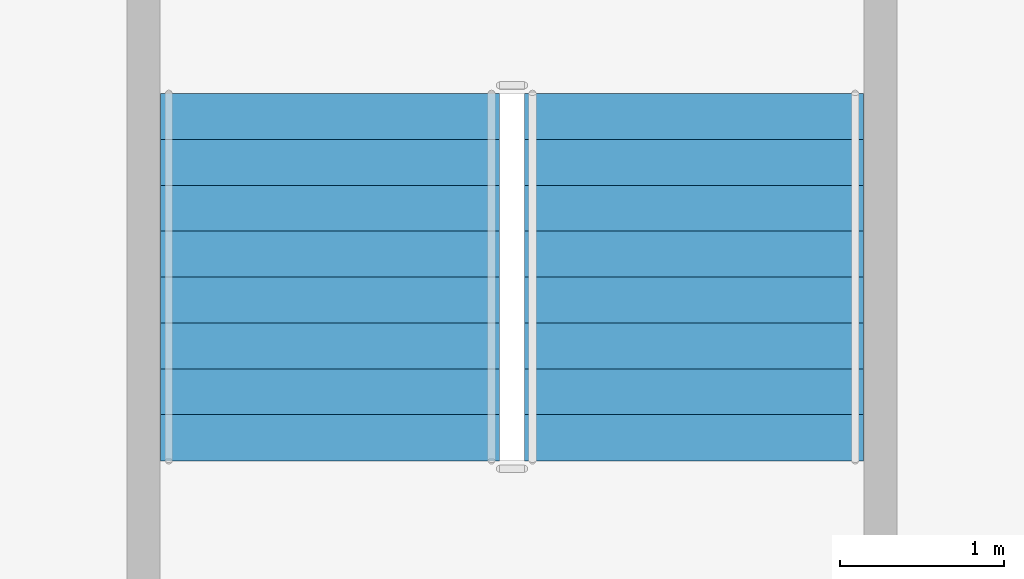
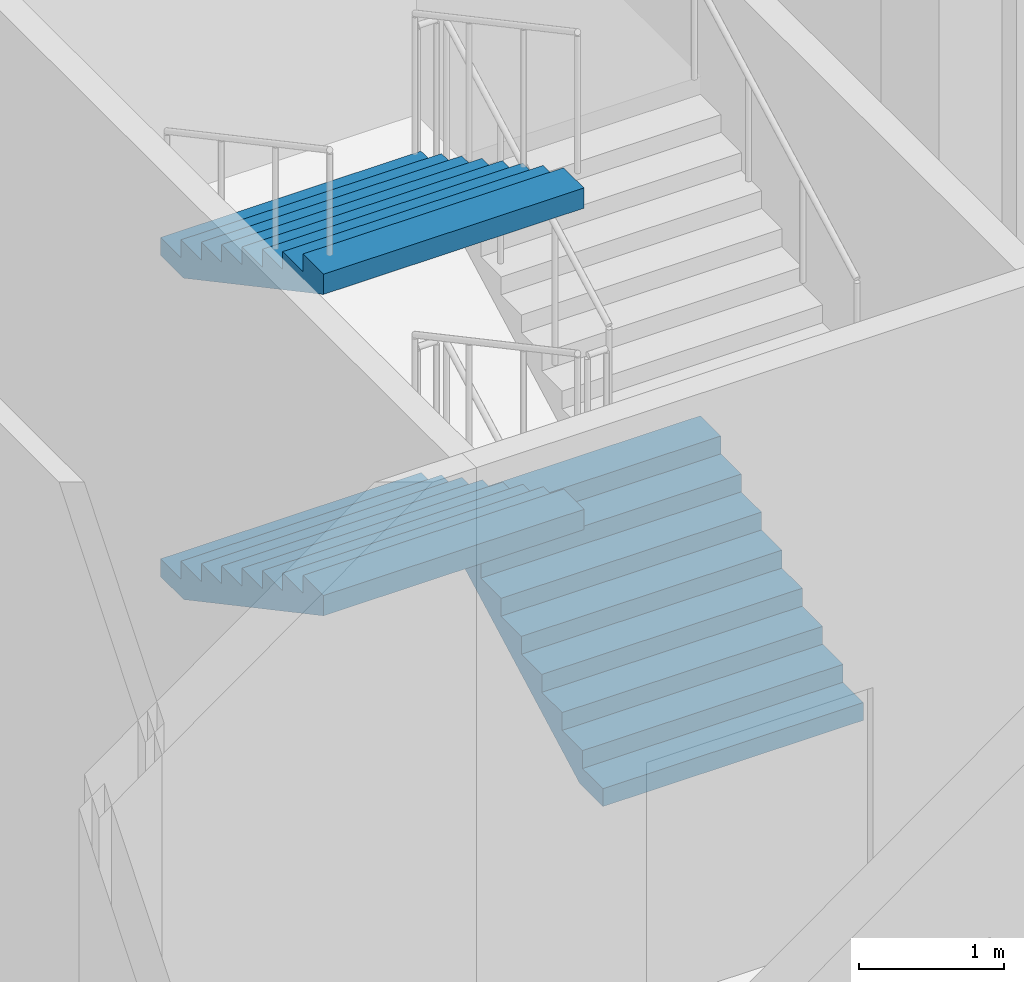
# One storey, part 21 of 27: 3 stair flights, 1 element without a shape of its own.
"""IFC4 building model written with IfcOpenShell, lengths in metres."""

from ifc_helpers import new_model, si_unit, direction, frame, origin, place, context, subcontext, project, spatial, polygons, material, type_object, element, aggregate, save


model = new_model("IFC4")

# Units and contexts
model_context = context("Model", 3, precision=1e-05, world=origin(), true_north=direction((0.0, 1.0)))
body_context = subcontext(model_context, "Body", "Model", "MODEL_VIEW")
ifc_project = project(units=[si_unit("LENGTHUNIT", "METRE"), si_unit("AREAUNIT", "SQUARE_METRE"), si_unit("VOLUMEUNIT", "CUBIC_METRE"), si_unit("PLANEANGLEUNIT", "RADIAN"), si_unit("MASSUNIT", "GRAM", prefix="KILO")], contexts=[model_context])

# Site, building, storey
site_placement = place(None, origin())
site = spatial("IfcSite", under=ifc_project, at=site_placement, CompositionType="ELEMENT")
building_placement = place(site_placement, origin())
building = spatial("IfcBuilding", under=site, at=building_placement, Name="Caravel Reach Hotel and Residences", CompositionType="ELEMENT")
storey_placement = place(building_placement, frame((0.0, 0.0, 6.60009765625)))
storey = spatial("IfcBuildingStorey", under=building, at=storey_placement, Name="L01", CompositionType="ELEMENT", Elevation=6.60009765625)

# Stair, stair flights
ifc_material_1 = material(Name="Concrete C40", Category="concrete")
stair_type = type_object("IfcStairType", Name="Core stair", PredefinedType="HALF_TURN_STAIR", material=ifc_material_1)
stair_placement = place(storey_placement, origin())
stair = element("IfcStair", 1, at=stair_placement, inside=storey, type_object=stair_type, Name="L01 Exit stair P6", PredefinedType="HALF_TURN_STAIR")
ifc_material_2 = material(Name="Concrete C40", Category="concrete")
stair_flight_type = type_object("IfcStairFlightType", Name="Core stair flight", PredefinedType="STRAIGHT", material=ifc_material_2)
stair_flight_1_placement = place(storey_placement, frame((64.360107421875, 42.68994140625, 0.0), z_axis=(0.0, 0.0, 1.0), x_axis=(0.0, 1.0, 0.0)))
stair_flight_1 = element("IfcStairFlight", 2, at=stair_flight_1_placement, type_object=stair_flight_type, Name="ST-P6 flight 1", NumberOfRisers=9, NumberOfTreads=8, PredefinedType="STRAIGHT", RiserHeight=0.15, TreadLength=0.28, context=body_context, shape_type="Tessellation", body=[
    polygons([(0.3174408016601864, 1.0350341796875, 0.0), (0.3174408016601864, 0.6900227864583333, 0.0), (0.3174408016601864, 0.34501139322916663, 0.0), (0.3174408016601864, 0.0, 0.0), (0.3174408016601864, -0.34501139322916674, 0.0), (0.3174408016601864, -0.6900227864583333, 0.0), (0.3174408016601864, -1.0350341796875, 0.0), (2.241, 1.0350341796875, 1.029942427682043), (2.241, 0.6900227864583333, 1.029942427682043), (2.241, 0.34501139322916663, 1.029942427682043), (2.241, 0.0, 1.029942427682043), (2.241, -0.34501139322916674, 1.029942427682043), (2.241, -0.6900227864583333, 1.029942427682043), (2.241, -1.0350341796875, 1.029942427682043), (2.241, 1.0350341796875, 1.2), (2.241, 0.6900227864583333, 1.2), (2.241, 0.34501139322916663, 1.2), (2.241, 0.0, 1.2), (2.241, -0.34501139322916674, 1.2), (2.241, -0.6900227864583333, 1.2), (2.241, -1.0350341796875, 1.2), (1.9600000000000002, 1.0350341796875, 1.2), (1.9600000000000002, 0.6900227864583333, 1.2), (1.9600000000000002, 0.34501139322916663, 1.2), (1.9600000000000002, 0.0, 1.2), (1.9600000000000002, -0.34501139322916674, 1.2), (1.9600000000000002, -0.6900227864583333, 1.2), (1.9600000000000002, -1.0350341796875, 1.2), (1.9600000000000002, 1.0350341796875, 1.05), (1.9600000000000002, 0.6900227864583333, 1.05), (1.9600000000000002, 0.34501139322916663, 1.05), (1.9600000000000002, 0.0, 1.05), (1.9600000000000002, -0.34501139322916674, 1.05), (1.9600000000000002, -0.6900227864583333, 1.05), (1.9600000000000002, -1.0350341796875, 1.05), (1.6800000000000002, 1.0350341796875, 1.05), (1.6800000000000002, 0.6900227864583333, 1.05), (1.6800000000000002, 0.34501139322916663, 1.05), (1.6800000000000002, 0.0, 1.05), (1.6800000000000002, -0.34501139322916674, 1.05), (1.6800000000000002, -0.6900227864583333, 1.05), (1.6800000000000002, -1.0350341796875, 1.05), (1.6800000000000002, 1.0350341796875, 0.8999999999999999), (1.6800000000000002, 0.6900227864583333, 0.8999999999999999), (1.6800000000000002, 0.34501139322916663, 0.8999999999999999), (1.6800000000000002, 0.0, 0.8999999999999999), (1.6800000000000002, -0.34501139322916674, 0.8999999999999999), (1.6800000000000002, -0.6900227864583333, 0.8999999999999999), (1.6800000000000002, -1.0350341796875, 0.8999999999999999), (1.4000000000000001, 1.0350341796875, 0.8999999999999999), (1.4000000000000001, 0.6900227864583333, 0.8999999999999999), (1.4000000000000001, 0.34501139322916663, 0.8999999999999999), (1.4000000000000001, 0.0, 0.8999999999999999), (1.4000000000000001, -0.34501139322916674, 0.8999999999999999), (1.4000000000000001, -0.6900227864583333, 0.8999999999999999), (1.4000000000000001, -1.0350341796875, 0.8999999999999999), (1.4000000000000001, 1.0350341796875, 0.75), (1.4000000000000001, 0.6900227864583333, 0.75), (1.4000000000000001, 0.34501139322916663, 0.75), (1.4000000000000001, 0.0, 0.75), (1.4000000000000001, -0.34501139322916674, 0.75), (1.4000000000000001, -0.6900227864583333, 0.75), (1.4000000000000001, -1.0350341796875, 0.75), (1.12, 1.0350341796875, 0.75), (1.12, 0.6900227864583333, 0.75), (1.12, 0.34501139322916663, 0.75), (1.12, 0.0, 0.75), (1.12, -0.34501139322916674, 0.75), (1.12, -0.6900227864583333, 0.75), (1.12, -1.0350341796875, 0.75), (1.12, 1.0350341796875, 0.6), (1.12, 0.6900227864583333, 0.6), (1.12, 0.34501139322916663, 0.6), (1.12, 0.0, 0.6), (1.12, -0.34501139322916674, 0.6), (1.12, -0.6900227864583333, 0.6), (1.12, -1.0350341796875, 0.6), (0.8400000000000001, 1.0350341796875, 0.6), (0.8400000000000001, 0.6900227864583333, 0.6), (0.8400000000000001, 0.34501139322916663, 0.6), (0.8400000000000001, 0.0, 0.6), (0.8400000000000001, -0.34501139322916674, 0.6), (0.8400000000000001, -0.6900227864583333, 0.6), (0.8400000000000001, -1.0350341796875, 0.6), (0.8400000000000001, 1.0350341796875, 0.44999999999999996), (0.8400000000000001, 0.6900227864583333, 0.44999999999999996), (0.8400000000000001, 0.34501139322916663, 0.44999999999999996), (0.8400000000000001, 0.0, 0.44999999999999996), (0.8400000000000001, -0.34501139322916674, 0.44999999999999996), (0.8400000000000001, -0.6900227864583333, 0.44999999999999996), (0.8400000000000001, -1.0350341796875, 0.44999999999999996), (0.56, 1.0350341796875, 0.44999999999999996), (0.56, 0.6900227864583333, 0.44999999999999996), (0.56, 0.34501139322916663, 0.44999999999999996), (0.56, 0.0, 0.44999999999999996), (0.56, -0.34501139322916674, 0.44999999999999996), (0.56, -0.6900227864583333, 0.44999999999999996), (0.56, -1.0350341796875, 0.44999999999999996), (0.56, 1.0350341796875, 0.3), (0.56, 0.6900227864583333, 0.3), (0.56, 0.34501139322916663, 0.3), (0.56, 0.0, 0.3), (0.56, -0.34501139322916674, 0.3), (0.56, -0.6900227864583333, 0.3), (0.56, -1.0350341796875, 0.3), (0.28, 1.0350341796875, 0.3), (0.28, 0.6900227864583333, 0.3), (0.28, 0.34501139322916663, 0.3), (0.28, 0.0, 0.3), (0.28, -0.34501139322916674, 0.3), (0.28, -0.6900227864583333, 0.3), (0.28, -1.0350341796875, 0.3), (0.28, 1.0350341796875, 0.15), (0.28, 0.6900227864583333, 0.15), (0.28, 0.34501139322916663, 0.15), (0.28, 0.0, 0.15), (0.28, -0.34501139322916674, 0.15), (0.28, -0.6900227864583333, 0.15), (0.28, -1.0350341796875, 0.15), (-0.001, 1.0350341796875, 0.15), (-0.001, 0.6900227864583333, 0.15), (-0.001, 0.34501139322916663, 0.15), (-0.001, 0.0, 0.15), (-0.001, -0.34501139322916674, 0.15), (-0.001, -0.6900227864583333, 0.15), (-0.001, -1.0350341796875, 0.15), (-0.001, 1.0350341796875, 0.0), (-0.001, 0.6900227864583333, 0.0), (-0.001, 0.34501139322916663, 0.0), (-0.001, 0.0, 0.0), (-0.001, -0.34501139322916674, 0.0), (-0.001, -0.6900227864583333, 0.0), (-0.001, -1.0350341796875, 0.0)], [[[127, 120, 113, 106, 99, 92, 85, 78, 71, 64, 57, 50, 43, 36, 29, 22, 15, 8, 1]], [[7, 14, 21, 28, 35, 42, 49, 56, 63, 70, 77, 84, 91, 98, 105, 112, 119, 126, 133]], [[1, 8, 9, 2]], [[2, 9, 10, 3]], [[3, 10, 11, 4]], [[4, 11, 12, 5]], [[5, 12, 13, 6]], [[6, 13, 14, 7]], [[8, 15, 16, 9]], [[9, 16, 17, 10]], [[10, 17, 18, 11]], [[11, 18, 19, 12]], [[12, 19, 20, 13]], [[13, 20, 21, 14]], [[15, 22, 23, 16]], [[16, 23, 24, 17]], [[17, 24, 25, 18]], [[18, 25, 26, 19]], [[19, 26, 27, 20]], [[20, 27, 28, 21]], [[22, 29, 30, 23]], [[23, 30, 31, 24]], [[24, 31, 32, 25]], [[25, 32, 33, 26]], [[26, 33, 34, 27]], [[27, 34, 35, 28]], [[29, 36, 37, 30]], [[30, 37, 38, 31]], [[31, 38, 39, 32]], [[32, 39, 40, 33]], [[33, 40, 41, 34]], [[34, 41, 42, 35]], [[36, 43, 44, 37]], [[37, 44, 45, 38]], [[38, 45, 46, 39]], [[39, 46, 47, 40]], [[40, 47, 48, 41]], [[41, 48, 49, 42]], [[43, 50, 51, 44]], [[44, 51, 52, 45]], [[45, 52, 53, 46]], [[46, 53, 54, 47]], [[47, 54, 55, 48]], [[48, 55, 56, 49]], [[50, 57, 58, 51]], [[51, 58, 59, 52]], [[52, 59, 60, 53]], [[53, 60, 61, 54]], [[54, 61, 62, 55]], [[55, 62, 63, 56]], [[57, 64, 65, 58]], [[58, 65, 66, 59]], [[59, 66, 67, 60]], [[60, 67, 68, 61]], [[61, 68, 69, 62]], [[62, 69, 70, 63]], [[64, 71, 72, 65]], [[65, 72, 73, 66]], [[66, 73, 74, 67]], [[67, 74, 75, 68]], [[68, 75, 76, 69]], [[69, 76, 77, 70]], [[71, 78, 79, 72]], [[72, 79, 80, 73]], [[73, 80, 81, 74]], [[74, 81, 82, 75]], [[75, 82, 83, 76]], [[76, 83, 84, 77]], [[78, 85, 86, 79]], [[79, 86, 87, 80]], [[80, 87, 88, 81]], [[81, 88, 89, 82]], [[82, 89, 90, 83]], [[83, 90, 91, 84]], [[85, 92, 93, 86]], [[86, 93, 94, 87]], [[87, 94, 95, 88]], [[88, 95, 96, 89]], [[89, 96, 97, 90]], [[90, 97, 98, 91]], [[92, 99, 100, 93]], [[93, 100, 101, 94]], [[94, 101, 102, 95]], [[95, 102, 103, 96]], [[96, 103, 104, 97]], [[97, 104, 105, 98]], [[99, 106, 107, 100]], [[100, 107, 108, 101]], [[101, 108, 109, 102]], [[102, 109, 110, 103]], [[103, 110, 111, 104]], [[104, 111, 112, 105]], [[106, 113, 114, 107]], [[107, 114, 115, 108]], [[108, 115, 116, 109]], [[109, 116, 117, 110]], [[110, 117, 118, 111]], [[111, 118, 119, 112]], [[113, 120, 121, 114]], [[114, 121, 122, 115]], [[115, 122, 123, 116]], [[116, 123, 124, 117]], [[117, 124, 125, 118]], [[118, 125, 126, 119]], [[120, 127, 128, 121]], [[121, 128, 129, 122]], [[122, 129, 130, 123]], [[123, 130, 131, 124]], [[124, 131, 132, 125]], [[125, 132, 133, 126]], [[127, 1, 2, 128]], [[128, 2, 3, 129]], [[129, 3, 4, 130]], [[130, 4, 5, 131]], [[131, 5, 6, 132]], [[132, 6, 7, 133]]], closed=True),
])
stair_flight_2_placement = place(storey_placement, frame((62.139892578125, 44.929931640625, 1.349853515625), z_axis=(0.0, 0.0, 1.0), x_axis=(0.0, -1.0, 0.0)))
stair_flight_2 = element("IfcStairFlight", 3, at=stair_flight_2_placement, type_object=stair_flight_type, Name="ST-P6 flight 2", NumberOfRisers=9, NumberOfTreads=8, PredefinedType="STRAIGHT", RiserHeight=0.15, TreadLength=0.28, context=body_context, shape_type="Tessellation", body=[
    polygons([(0.3174408016601864, 1.0350341796875, 0.0), (0.3174408016601864, 0.6900227864583333, 0.0), (0.3174408016601864, 0.34501139322916663, 0.0), (0.3174408016601864, 0.0, 0.0), (0.3174408016601864, -0.34501139322916674, 0.0), (0.3174408016601864, -0.6900227864583333, 0.0), (0.3174408016601864, -1.0350341796875, 0.0), (2.241, 1.0350341796875, 1.029942427682043), (2.241, 0.6900227864583333, 1.029942427682043), (2.241, 0.34501139322916663, 1.029942427682043), (2.241, 0.0, 1.029942427682043), (2.241, -0.34501139322916674, 1.029942427682043), (2.241, -0.6900227864583333, 1.029942427682043), (2.241, -1.0350341796875, 1.029942427682043), (2.241, 1.0350341796875, 1.2), (2.241, 0.6900227864583333, 1.2), (2.241, 0.34501139322916663, 1.2), (2.241, 0.0, 1.2), (2.241, -0.34501139322916674, 1.2), (2.241, -0.6900227864583333, 1.2), (2.241, -1.0350341796875, 1.2), (1.9600000000000002, 1.0350341796875, 1.2), (1.9600000000000002, 0.6900227864583333, 1.2), (1.9600000000000002, 0.34501139322916663, 1.2), (1.9600000000000002, 0.0, 1.2), (1.9600000000000002, -0.34501139322916674, 1.2), (1.9600000000000002, -0.6900227864583333, 1.2), (1.9600000000000002, -1.0350341796875, 1.2), (1.9600000000000002, 1.0350341796875, 1.05), (1.9600000000000002, 0.6900227864583333, 1.05), (1.9600000000000002, 0.34501139322916663, 1.05), (1.9600000000000002, 0.0, 1.05), (1.9600000000000002, -0.34501139322916674, 1.05), (1.9600000000000002, -0.6900227864583333, 1.05), (1.9600000000000002, -1.0350341796875, 1.05), (1.6800000000000002, 1.0350341796875, 1.05), (1.6800000000000002, 0.6900227864583333, 1.05), (1.6800000000000002, 0.34501139322916663, 1.05), (1.6800000000000002, 0.0, 1.05), (1.6800000000000002, -0.34501139322916674, 1.05), (1.6800000000000002, -0.6900227864583333, 1.05), (1.6800000000000002, -1.0350341796875, 1.05), (1.6800000000000002, 1.0350341796875, 0.8999999999999999), (1.6800000000000002, 0.6900227864583333, 0.8999999999999999), (1.6800000000000002, 0.34501139322916663, 0.8999999999999999), (1.6800000000000002, 0.0, 0.8999999999999999), (1.6800000000000002, -0.34501139322916674, 0.8999999999999999), (1.6800000000000002, -0.6900227864583333, 0.8999999999999999), (1.6800000000000002, -1.0350341796875, 0.8999999999999999), (1.4000000000000001, 1.0350341796875, 0.8999999999999999), (1.4000000000000001, 0.6900227864583333, 0.8999999999999999), (1.4000000000000001, 0.34501139322916663, 0.8999999999999999), (1.4000000000000001, 0.0, 0.8999999999999999), (1.4000000000000001, -0.34501139322916674, 0.8999999999999999), (1.4000000000000001, -0.6900227864583333, 0.8999999999999999), (1.4000000000000001, -1.0350341796875, 0.8999999999999999), (1.4000000000000001, 1.0350341796875, 0.75), (1.4000000000000001, 0.6900227864583333, 0.75), (1.4000000000000001, 0.34501139322916663, 0.75), (1.4000000000000001, 0.0, 0.75), (1.4000000000000001, -0.34501139322916674, 0.75), (1.4000000000000001, -0.6900227864583333, 0.75), (1.4000000000000001, -1.0350341796875, 0.75), (1.12, 1.0350341796875, 0.75), (1.12, 0.6900227864583333, 0.75), (1.12, 0.34501139322916663, 0.75), (1.12, 0.0, 0.75), (1.12, -0.34501139322916674, 0.75), (1.12, -0.6900227864583333, 0.75), (1.12, -1.0350341796875, 0.75), (1.12, 1.0350341796875, 0.6), (1.12, 0.6900227864583333, 0.6), (1.12, 0.34501139322916663, 0.6), (1.12, 0.0, 0.6), (1.12, -0.34501139322916674, 0.6), (1.12, -0.6900227864583333, 0.6), (1.12, -1.0350341796875, 0.6), (0.8400000000000001, 1.0350341796875, 0.6), (0.8400000000000001, 0.6900227864583333, 0.6), (0.8400000000000001, 0.34501139322916663, 0.6), (0.8400000000000001, 0.0, 0.6), (0.8400000000000001, -0.34501139322916674, 0.6), (0.8400000000000001, -0.6900227864583333, 0.6), (0.8400000000000001, -1.0350341796875, 0.6), (0.8400000000000001, 1.0350341796875, 0.44999999999999996), (0.8400000000000001, 0.6900227864583333, 0.44999999999999996), (0.8400000000000001, 0.34501139322916663, 0.44999999999999996), (0.8400000000000001, 0.0, 0.44999999999999996), (0.8400000000000001, -0.34501139322916674, 0.44999999999999996), (0.8400000000000001, -0.6900227864583333, 0.44999999999999996), (0.8400000000000001, -1.0350341796875, 0.44999999999999996), (0.56, 1.0350341796875, 0.44999999999999996), (0.56, 0.6900227864583333, 0.44999999999999996), (0.56, 0.34501139322916663, 0.44999999999999996), (0.56, 0.0, 0.44999999999999996), (0.56, -0.34501139322916674, 0.44999999999999996), (0.56, -0.6900227864583333, 0.44999999999999996), (0.56, -1.0350341796875, 0.44999999999999996), (0.56, 1.0350341796875, 0.3), (0.56, 0.6900227864583333, 0.3), (0.56, 0.34501139322916663, 0.3), (0.56, 0.0, 0.3), (0.56, -0.34501139322916674, 0.3), (0.56, -0.6900227864583333, 0.3), (0.56, -1.0350341796875, 0.3), (0.28, 1.0350341796875, 0.3), (0.28, 0.6900227864583333, 0.3), (0.28, 0.34501139322916663, 0.3), (0.28, 0.0, 0.3), (0.28, -0.34501139322916674, 0.3), (0.28, -0.6900227864583333, 0.3), (0.28, -1.0350341796875, 0.3), (0.28, 1.0350341796875, 0.15), (0.28, 0.6900227864583333, 0.15), (0.28, 0.34501139322916663, 0.15), (0.28, 0.0, 0.15), (0.28, -0.34501139322916674, 0.15), (0.28, -0.6900227864583333, 0.15), (0.28, -1.0350341796875, 0.15), (-0.001, 1.0350341796875, 0.15), (-0.001, 0.6900227864583333, 0.15), (-0.001, 0.34501139322916663, 0.15), (-0.001, 0.0, 0.15), (-0.001, -0.34501139322916674, 0.15), (-0.001, -0.6900227864583333, 0.15), (-0.001, -1.0350341796875, 0.15), (-0.001, 1.0350341796875, 0.0), (-0.001, 0.6900227864583333, 0.0), (-0.001, 0.34501139322916663, 0.0), (-0.001, 0.0, 0.0), (-0.001, -0.34501139322916674, 0.0), (-0.001, -0.6900227864583333, 0.0), (-0.001, -1.0350341796875, 0.0)], [[[127, 120, 113, 106, 99, 92, 85, 78, 71, 64, 57, 50, 43, 36, 29, 22, 15, 8, 1]], [[7, 14, 21, 28, 35, 42, 49, 56, 63, 70, 77, 84, 91, 98, 105, 112, 119, 126, 133]], [[1, 8, 9, 2]], [[2, 9, 10, 3]], [[3, 10, 11, 4]], [[4, 11, 12, 5]], [[5, 12, 13, 6]], [[6, 13, 14, 7]], [[8, 15, 16, 9]], [[9, 16, 17, 10]], [[10, 17, 18, 11]], [[11, 18, 19, 12]], [[12, 19, 20, 13]], [[13, 20, 21, 14]], [[15, 22, 23, 16]], [[16, 23, 24, 17]], [[17, 24, 25, 18]], [[18, 25, 26, 19]], [[19, 26, 27, 20]], [[20, 27, 28, 21]], [[22, 29, 30, 23]], [[23, 30, 31, 24]], [[24, 31, 32, 25]], [[25, 32, 33, 26]], [[26, 33, 34, 27]], [[27, 34, 35, 28]], [[29, 36, 37, 30]], [[30, 37, 38, 31]], [[31, 38, 39, 32]], [[32, 39, 40, 33]], [[33, 40, 41, 34]], [[34, 41, 42, 35]], [[36, 43, 44, 37]], [[37, 44, 45, 38]], [[38, 45, 46, 39]], [[39, 46, 47, 40]], [[40, 47, 48, 41]], [[41, 48, 49, 42]], [[43, 50, 51, 44]], [[44, 51, 52, 45]], [[45, 52, 53, 46]], [[46, 53, 54, 47]], [[47, 54, 55, 48]], [[48, 55, 56, 49]], [[50, 57, 58, 51]], [[51, 58, 59, 52]], [[52, 59, 60, 53]], [[53, 60, 61, 54]], [[54, 61, 62, 55]], [[55, 62, 63, 56]], [[57, 64, 65, 58]], [[58, 65, 66, 59]], [[59, 66, 67, 60]], [[60, 67, 68, 61]], [[61, 68, 69, 62]], [[62, 69, 70, 63]], [[64, 71, 72, 65]], [[65, 72, 73, 66]], [[66, 73, 74, 67]], [[67, 74, 75, 68]], [[68, 75, 76, 69]], [[69, 76, 77, 70]], [[71, 78, 79, 72]], [[72, 79, 80, 73]], [[73, 80, 81, 74]], [[74, 81, 82, 75]], [[75, 82, 83, 76]], [[76, 83, 84, 77]], [[78, 85, 86, 79]], [[79, 86, 87, 80]], [[80, 87, 88, 81]], [[81, 88, 89, 82]], [[82, 89, 90, 83]], [[83, 90, 91, 84]], [[85, 92, 93, 86]], [[86, 93, 94, 87]], [[87, 94, 95, 88]], [[88, 95, 96, 89]], [[89, 96, 97, 90]], [[90, 97, 98, 91]], [[92, 99, 100, 93]], [[93, 100, 101, 94]], [[94, 101, 102, 95]], [[95, 102, 103, 96]], [[96, 103, 104, 97]], [[97, 104, 105, 98]], [[99, 106, 107, 100]], [[100, 107, 108, 101]], [[101, 108, 109, 102]], [[102, 109, 110, 103]], [[103, 110, 111, 104]], [[104, 111, 112, 105]], [[106, 113, 114, 107]], [[107, 114, 115, 108]], [[108, 115, 116, 109]], [[109, 116, 117, 110]], [[110, 117, 118, 111]], [[111, 118, 119, 112]], [[113, 120, 121, 114]], [[114, 121, 122, 115]], [[115, 122, 123, 116]], [[116, 123, 124, 117]], [[117, 124, 125, 118]], [[118, 125, 126, 119]], [[120, 127, 128, 121]], [[121, 128, 129, 122]], [[122, 129, 130, 123]], [[123, 130, 131, 124]], [[124, 131, 132, 125]], [[125, 132, 133, 126]], [[127, 1, 2, 128]], [[128, 2, 3, 129]], [[129, 3, 4, 130]], [[130, 4, 5, 131]], [[131, 5, 6, 132]], [[132, 6, 7, 133]]], closed=True),
])
stair_flight_3_placement = place(storey_placement, frame((62.139892578125, 44.929931640625, 4.0498046875), z_axis=(0.0, 0.0, 1.0), x_axis=(0.0, -1.0, 0.0)))
stair_flight_3 = element("IfcStairFlight", 4, at=stair_flight_3_placement, type_object=stair_flight_type, Name="ST-P6 flight 4", NumberOfRisers=9, NumberOfTreads=8, PredefinedType="STRAIGHT", RiserHeight=0.15, TreadLength=0.28, context=body_context, shape_type="Tessellation", body=[
    polygons([(0.3174408016601864, 1.0350341796875, 0.0), (0.3174408016601864, 0.6900227864583333, 0.0), (0.3174408016601864, 0.34501139322916663, 0.0), (0.3174408016601864, 0.0, 0.0), (0.3174408016601864, -0.34501139322916674, 0.0), (0.3174408016601864, -0.6900227864583333, 0.0), (0.3174408016601864, -1.0350341796875, 0.0), (2.241, 1.0350341796875, 1.029942427682043), (2.241, 0.6900227864583333, 1.029942427682043), (2.241, 0.34501139322916663, 1.029942427682043), (2.241, 0.0, 1.029942427682043), (2.241, -0.34501139322916674, 1.029942427682043), (2.241, -0.6900227864583333, 1.029942427682043), (2.241, -1.0350341796875, 1.029942427682043), (2.241, 1.0350341796875, 1.2), (2.241, 0.6900227864583333, 1.2), (2.241, 0.34501139322916663, 1.2), (2.241, 0.0, 1.2), (2.241, -0.34501139322916674, 1.2), (2.241, -0.6900227864583333, 1.2), (2.241, -1.0350341796875, 1.2), (1.9600000000000002, 1.0350341796875, 1.2), (1.9600000000000002, 0.6900227864583333, 1.2), (1.9600000000000002, 0.34501139322916663, 1.2), (1.9600000000000002, 0.0, 1.2), (1.9600000000000002, -0.34501139322916674, 1.2), (1.9600000000000002, -0.6900227864583333, 1.2), (1.9600000000000002, -1.0350341796875, 1.2), (1.9600000000000002, 1.0350341796875, 1.05), (1.9600000000000002, 0.6900227864583333, 1.05), (1.9600000000000002, 0.34501139322916663, 1.05), (1.9600000000000002, 0.0, 1.05), (1.9600000000000002, -0.34501139322916674, 1.05), (1.9600000000000002, -0.6900227864583333, 1.05), (1.9600000000000002, -1.0350341796875, 1.05), (1.6800000000000002, 1.0350341796875, 1.05), (1.6800000000000002, 0.6900227864583333, 1.05), (1.6800000000000002, 0.34501139322916663, 1.05), (1.6800000000000002, 0.0, 1.05), (1.6800000000000002, -0.34501139322916674, 1.05), (1.6800000000000002, -0.6900227864583333, 1.05), (1.6800000000000002, -1.0350341796875, 1.05), (1.6800000000000002, 1.0350341796875, 0.8999999999999999), (1.6800000000000002, 0.6900227864583333, 0.8999999999999999), (1.6800000000000002, 0.34501139322916663, 0.8999999999999999), (1.6800000000000002, 0.0, 0.8999999999999999), (1.6800000000000002, -0.34501139322916674, 0.8999999999999999), (1.6800000000000002, -0.6900227864583333, 0.8999999999999999), (1.6800000000000002, -1.0350341796875, 0.8999999999999999), (1.4000000000000001, 1.0350341796875, 0.8999999999999999), (1.4000000000000001, 0.6900227864583333, 0.8999999999999999), (1.4000000000000001, 0.34501139322916663, 0.8999999999999999), (1.4000000000000001, 0.0, 0.8999999999999999), (1.4000000000000001, -0.34501139322916674, 0.8999999999999999), (1.4000000000000001, -0.6900227864583333, 0.8999999999999999), (1.4000000000000001, -1.0350341796875, 0.8999999999999999), (1.4000000000000001, 1.0350341796875, 0.75), (1.4000000000000001, 0.6900227864583333, 0.75), (1.4000000000000001, 0.34501139322916663, 0.75), (1.4000000000000001, 0.0, 0.75), (1.4000000000000001, -0.34501139322916674, 0.75), (1.4000000000000001, -0.6900227864583333, 0.75), (1.4000000000000001, -1.0350341796875, 0.75), (1.12, 1.0350341796875, 0.75), (1.12, 0.6900227864583333, 0.75), (1.12, 0.34501139322916663, 0.75), (1.12, 0.0, 0.75), (1.12, -0.34501139322916674, 0.75), (1.12, -0.6900227864583333, 0.75), (1.12, -1.0350341796875, 0.75), (1.12, 1.0350341796875, 0.6), (1.12, 0.6900227864583333, 0.6), (1.12, 0.34501139322916663, 0.6), (1.12, 0.0, 0.6), (1.12, -0.34501139322916674, 0.6), (1.12, -0.6900227864583333, 0.6), (1.12, -1.0350341796875, 0.6), (0.8400000000000001, 1.0350341796875, 0.6), (0.8400000000000001, 0.6900227864583333, 0.6), (0.8400000000000001, 0.34501139322916663, 0.6), (0.8400000000000001, 0.0, 0.6), (0.8400000000000001, -0.34501139322916674, 0.6), (0.8400000000000001, -0.6900227864583333, 0.6), (0.8400000000000001, -1.0350341796875, 0.6), (0.8400000000000001, 1.0350341796875, 0.44999999999999996), (0.8400000000000001, 0.6900227864583333, 0.44999999999999996), (0.8400000000000001, 0.34501139322916663, 0.44999999999999996), (0.8400000000000001, 0.0, 0.44999999999999996), (0.8400000000000001, -0.34501139322916674, 0.44999999999999996), (0.8400000000000001, -0.6900227864583333, 0.44999999999999996), (0.8400000000000001, -1.0350341796875, 0.44999999999999996), (0.56, 1.0350341796875, 0.44999999999999996), (0.56, 0.6900227864583333, 0.44999999999999996), (0.56, 0.34501139322916663, 0.44999999999999996), (0.56, 0.0, 0.44999999999999996), (0.56, -0.34501139322916674, 0.44999999999999996), (0.56, -0.6900227864583333, 0.44999999999999996), (0.56, -1.0350341796875, 0.44999999999999996), (0.56, 1.0350341796875, 0.3), (0.56, 0.6900227864583333, 0.3), (0.56, 0.34501139322916663, 0.3), (0.56, 0.0, 0.3), (0.56, -0.34501139322916674, 0.3), (0.56, -0.6900227864583333, 0.3), (0.56, -1.0350341796875, 0.3), (0.28, 1.0350341796875, 0.3), (0.28, 0.6900227864583333, 0.3), (0.28, 0.34501139322916663, 0.3), (0.28, 0.0, 0.3), (0.28, -0.34501139322916674, 0.3), (0.28, -0.6900227864583333, 0.3), (0.28, -1.0350341796875, 0.3), (0.28, 1.0350341796875, 0.15), (0.28, 0.6900227864583333, 0.15), (0.28, 0.34501139322916663, 0.15), (0.28, 0.0, 0.15), (0.28, -0.34501139322916674, 0.15), (0.28, -0.6900227864583333, 0.15), (0.28, -1.0350341796875, 0.15), (-0.001, 1.0350341796875, 0.15), (-0.001, 0.6900227864583333, 0.15), (-0.001, 0.34501139322916663, 0.15), (-0.001, 0.0, 0.15), (-0.001, -0.34501139322916674, 0.15), (-0.001, -0.6900227864583333, 0.15), (-0.001, -1.0350341796875, 0.15), (-0.001, 1.0350341796875, 0.0), (-0.001, 0.6900227864583333, 0.0), (-0.001, 0.34501139322916663, 0.0), (-0.001, 0.0, 0.0), (-0.001, -0.34501139322916674, 0.0), (-0.001, -0.6900227864583333, 0.0), (-0.001, -1.0350341796875, 0.0)], [[[127, 120, 113, 106, 99, 92, 85, 78, 71, 64, 57, 50, 43, 36, 29, 22, 15, 8, 1]], [[7, 14, 21, 28, 35, 42, 49, 56, 63, 70, 77, 84, 91, 98, 105, 112, 119, 126, 133]], [[1, 8, 9, 2]], [[2, 9, 10, 3]], [[3, 10, 11, 4]], [[4, 11, 12, 5]], [[5, 12, 13, 6]], [[6, 13, 14, 7]], [[8, 15, 16, 9]], [[9, 16, 17, 10]], [[10, 17, 18, 11]], [[11, 18, 19, 12]], [[12, 19, 20, 13]], [[13, 20, 21, 14]], [[15, 22, 23, 16]], [[16, 23, 24, 17]], [[17, 24, 25, 18]], [[18, 25, 26, 19]], [[19, 26, 27, 20]], [[20, 27, 28, 21]], [[22, 29, 30, 23]], [[23, 30, 31, 24]], [[24, 31, 32, 25]], [[25, 32, 33, 26]], [[26, 33, 34, 27]], [[27, 34, 35, 28]], [[29, 36, 37, 30]], [[30, 37, 38, 31]], [[31, 38, 39, 32]], [[32, 39, 40, 33]], [[33, 40, 41, 34]], [[34, 41, 42, 35]], [[36, 43, 44, 37]], [[37, 44, 45, 38]], [[38, 45, 46, 39]], [[39, 46, 47, 40]], [[40, 47, 48, 41]], [[41, 48, 49, 42]], [[43, 50, 51, 44]], [[44, 51, 52, 45]], [[45, 52, 53, 46]], [[46, 53, 54, 47]], [[47, 54, 55, 48]], [[48, 55, 56, 49]], [[50, 57, 58, 51]], [[51, 58, 59, 52]], [[52, 59, 60, 53]], [[53, 60, 61, 54]], [[54, 61, 62, 55]], [[55, 62, 63, 56]], [[57, 64, 65, 58]], [[58, 65, 66, 59]], [[59, 66, 67, 60]], [[60, 67, 68, 61]], [[61, 68, 69, 62]], [[62, 69, 70, 63]], [[64, 71, 72, 65]], [[65, 72, 73, 66]], [[66, 73, 74, 67]], [[67, 74, 75, 68]], [[68, 75, 76, 69]], [[69, 76, 77, 70]], [[71, 78, 79, 72]], [[72, 79, 80, 73]], [[73, 80, 81, 74]], [[74, 81, 82, 75]], [[75, 82, 83, 76]], [[76, 83, 84, 77]], [[78, 85, 86, 79]], [[79, 86, 87, 80]], [[80, 87, 88, 81]], [[81, 88, 89, 82]], [[82, 89, 90, 83]], [[83, 90, 91, 84]], [[85, 92, 93, 86]], [[86, 93, 94, 87]], [[87, 94, 95, 88]], [[88, 95, 96, 89]], [[89, 96, 97, 90]], [[90, 97, 98, 91]], [[92, 99, 100, 93]], [[93, 100, 101, 94]], [[94, 101, 102, 95]], [[95, 102, 103, 96]], [[96, 103, 104, 97]], [[97, 104, 105, 98]], [[99, 106, 107, 100]], [[100, 107, 108, 101]], [[101, 108, 109, 102]], [[102, 109, 110, 103]], [[103, 110, 111, 104]], [[104, 111, 112, 105]], [[106, 113, 114, 107]], [[107, 114, 115, 108]], [[108, 115, 116, 109]], [[109, 116, 117, 110]], [[110, 117, 118, 111]], [[111, 118, 119, 112]], [[113, 120, 121, 114]], [[114, 121, 122, 115]], [[115, 122, 123, 116]], [[116, 123, 124, 117]], [[117, 124, 125, 118]], [[118, 125, 126, 119]], [[120, 127, 128, 121]], [[121, 128, 129, 122]], [[122, 129, 130, 123]], [[123, 130, 131, 124]], [[124, 131, 132, 125]], [[125, 132, 133, 126]], [[127, 1, 2, 128]], [[128, 2, 3, 129]], [[129, 3, 4, 130]], [[130, 4, 5, 131]], [[131, 5, 6, 132]], [[132, 6, 7, 133]]], closed=True),
])
aggregate(stair, [stair_flight_1, stair_flight_2, stair_flight_3])

save(model, "model.ifc")
